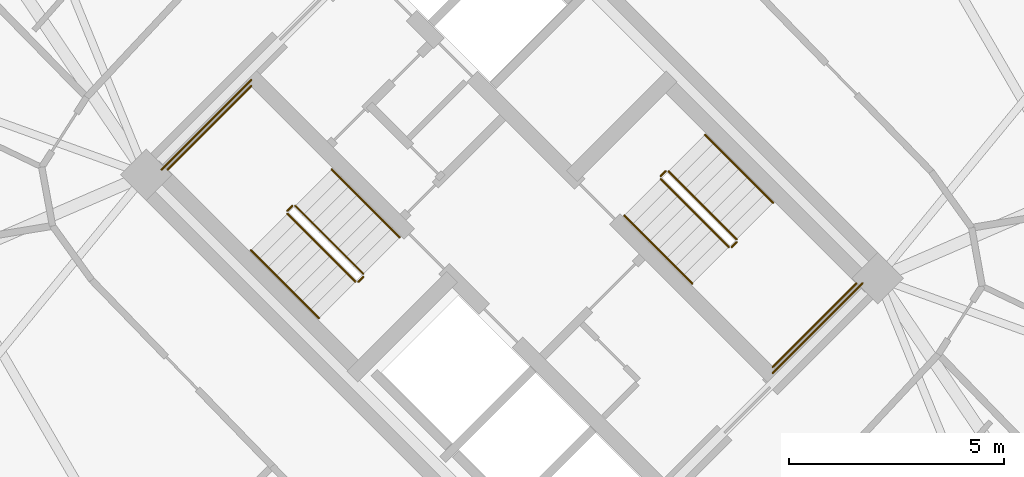
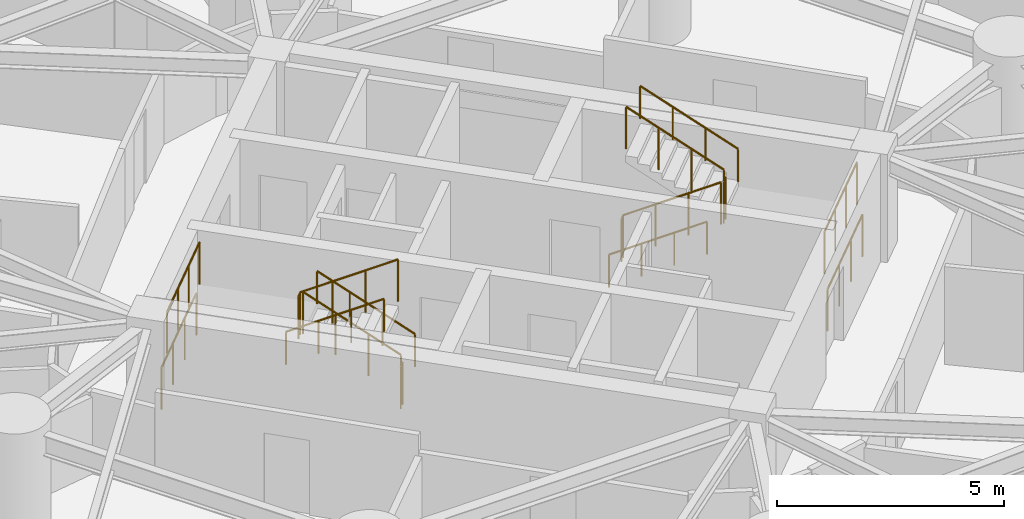
# One storey, part 18 of 19: 16 railings.
"""IFC4 building model written with IfcOpenShell, lengths in metres."""

from ifc_helpers import new_model, si_unit, direction, frame, origin, origin_2d, place, context, subcontext, project, spatial, circle, extrude, material, type_object, element, save


model = new_model("IFC4")

# Units and contexts
model_context = context("Model", 3, precision=1e-05, world=origin(), true_north=direction((0.0, 1.0)))
body_context = subcontext(model_context, "Body", "Model", "MODEL_VIEW")
ifc_project = project(units=[si_unit("LENGTHUNIT", "METRE"), si_unit("AREAUNIT", "SQUARE_METRE"), si_unit("VOLUMEUNIT", "CUBIC_METRE"), si_unit("PLANEANGLEUNIT", "RADIAN"), si_unit("MASSUNIT", "GRAM", prefix="KILO")], contexts=[model_context])

# Site, building, storey
site_placement = place(None, origin())
site = spatial("IfcSite", under=ifc_project, at=site_placement, CompositionType="ELEMENT")
building_placement = place(site_placement, origin())
building = spatial("IfcBuilding", under=site, at=building_placement, Name="Cununo Teusaquillo Station Towers", CompositionType="ELEMENT")
storey_placement = place(building_placement, frame((0.0, 0.0, 33.639892578125)))
storey = spatial("IfcBuildingStorey", under=building, at=storey_placement, Name="L09", CompositionType="ELEMENT", Elevation=33.639892578125)

# Railings
ifc_material_1 = material(Name="Steel EN 10025-2 S355J2", Category="steel")
railing_type_1 = type_object("IfcRailingType", Name="RL-INT-GUARD", PredefinedType="GUARDRAIL", material=ifc_material_1)
railing_1_placement = place(storey_placement, frame((54.03515625, 23.39697265625, 0.161865234375)))
element("IfcRailing", 1, at=railing_1_placement, inside=storey, type_object=railing_type_1, Name="L09 ST-T2-1 stair guard 1", PredefinedType="GUARDRAIL", context=body_context, shape_type="SweptSolid", body=[
    extrude(circle(Radius=0.02392578125, at=origin_2d()), frame((0.0, 0.0, 1.1259765625), z_axis=(-0.612361259024, 0.612361259024, 0.500027376144), x_axis=(-0.707106781187, -0.707106781187, 0.0)), (0.0, 0.0, 1.0), 2.586181640625),
    extrude(circle(Radius=0.02099609375, at=origin_2d()), origin(), (0.0, 0.0, 1.0), 1.101806640625),
    extrude(circle(Radius=0.02099609375, at=origin_2d()), frame((-0.52783203125, 0.52783203125, 0.43115234375)), (0.0, 0.0, 1.0), 1.101806640625),
    extrude(circle(Radius=0.02099609375, at=origin_2d()), frame((-1.055908203125, 1.055908203125, 0.862060546875)), (0.0, 0.0, 1.0), 1.101806640625),
    extrude(circle(Radius=0.02099609375, at=origin_2d()), frame((-1.583740234375, 1.583740234375, 1.293212890625)), (0.0, 0.0, 1.0), 1.101806640625),
])
railing_2_placement = place(storey_placement, frame((52.380615234375, 24.980712890625, 1.455078125)))
element("IfcRailing", 2, at=railing_2_placement, inside=storey, type_object=railing_type_1, Name="L09 ST-T2-1 stair guard 2", PredefinedType="GUARDRAIL", context=body_context, shape_type="SweptSolid", body=[
    extrude(circle(Radius=0.02392578125, at=origin_2d()), frame((0.0, 0.0, 1.1259765625), z_axis=(-0.7078691598, -0.706343579714, 0.0), x_axis=(0.706343579714, -0.7078691598, 0.0)), (0.0, 0.0, 1.0), 0.159912109375),
    extrude(circle(Radius=0.02099609375, at=origin_2d()), origin(), (0.0, 0.0, 1.0), 1.101806640625),
    extrude(circle(Radius=0.02099609375, at=origin_2d()), frame((-0.11328125, -0.113037109375, 0.0)), (0.0, 0.0, 1.0), 1.101806640625),
])
railing_3_placement = place(storey_placement, frame((51.426025390625, 27.77392578125, 1.455078125)))
element("IfcRailing", 3, at=railing_3_placement, inside=storey, type_object=railing_type_1, Name="L09 ST-T2-1 stair guard 3", PredefinedType="GUARDRAIL", context=body_context, shape_type="SweptSolid", body=[
    extrude(circle(Radius=0.02392578125, at=origin_2d()), frame((0.0, 0.0, 1.1259765625), z_axis=(-0.707106781187, -0.707106781187, 0.0), x_axis=(0.707106781187, -0.707106781187, 0.0)), (0.0, 0.0, 1.0), 2.760009765625),
    extrude(circle(Radius=0.02099609375, at=origin_2d()), origin(), (0.0, 0.0, 1.0), 1.101806640625),
    extrude(circle(Radius=0.02099609375, at=origin_2d()), frame((-0.650634765625, -0.650634765625, 0.0)), (0.0, 0.0, 1.0), 1.101806640625),
    extrude(circle(Radius=0.02099609375, at=origin_2d()), frame((-1.301025390625, -1.301025390625, 0.0)), (0.0, 0.0, 1.0), 1.101806640625),
    extrude(circle(Radius=0.02099609375, at=origin_2d()), frame((-1.95166015625, -1.95166015625, 0.0)), (0.0, 0.0, 1.0), 1.101806640625),
])
railing_4_placement = place(storey_placement, frame((52.267333984375, 24.796875, 1.61669921875)))
element("IfcRailing", 4, at=railing_4_placement, inside=storey, type_object=railing_type_1, Name="L09 ST-T2-1 stair guard 4", PredefinedType="GUARDRAIL", context=body_context, shape_type="SweptSolid", body=[
    extrude(circle(Radius=0.02392578125, at=origin_2d()), frame((0.0, 0.0, 1.1259765625), z_axis=(0.612391349474, -0.612296961165, 0.500069261639), x_axis=(0.707052281454, 0.707161276719, 0.0)), (0.0, 0.0, 1.0), 2.586669921875),
    extrude(circle(Radius=0.02099609375, at=origin_2d()), origin(), (0.0, 0.0, 1.0), 1.101806640625),
    extrude(circle(Radius=0.02099609375, at=origin_2d()), frame((0.528076171875, -0.52783203125, 0.43115234375)), (0.0, 0.0, 1.0), 1.101806640625),
    extrude(circle(Radius=0.02099609375, at=origin_2d()), frame((1.055908203125, -1.055908203125, 0.8623046875)), (0.0, 0.0, 1.0), 1.101806640625),
    extrude(circle(Radius=0.02099609375, at=origin_2d()), frame((1.583984375, -1.583740234375, 1.29345703125)), (0.0, 0.0, 1.0), 1.101806640625),
])
railing_5_placement = place(storey_placement, frame((54.03515625, 23.326171875, 0.0)))
element("IfcRailing", 5, at=railing_5_placement, inside=storey, type_object=railing_type_1, Name="L09 ST-T2-1 stair guard 5", PredefinedType="GUARDRAIL", context=body_context, shape_type="SweptSolid", body=[
    extrude(circle(Radius=0.02392578125, at=origin_2d()), frame((0.0, 0.0, 1.1259765625), z_axis=(-0.707106781187, -0.707106781187, 0.0), x_axis=(0.707106781187, -0.707106781187, 0.0)), (0.0, 0.0, 1.0), 0.159912109375),
    extrude(circle(Radius=0.02099609375, at=origin_2d()), origin(), (0.0, 0.0, 1.0), 1.101806640625),
    extrude(circle(Radius=0.02099609375, at=origin_2d()), frame((-0.113037109375, -0.113037109375, 0.0)), (0.0, 0.0, 1.0), 1.101806640625),
])
railing_6_placement = place(storey_placement, frame((51.426025390625, 27.915283203125, 0.0)))
element("IfcRailing", 6, at=railing_6_placement, inside=storey, type_object=railing_type_1, Name="L09 ST-T2-1 stair guard 6", PredefinedType="GUARDRAIL", context=body_context, shape_type="SweptSolid", body=[
    extrude(circle(Radius=0.02392578125, at=origin_2d()), frame((0.0, 0.0, 1.1259765625), z_axis=(-0.707106781187, -0.707106781187, 0.0), x_axis=(0.707106781187, -0.707106781187, 0.0)), (0.0, 0.0, 1.0), 2.9599609375),
    extrude(circle(Radius=0.02099609375, at=origin_2d()), origin(), (0.0, 0.0, 1.0), 1.101806640625),
    extrude(circle(Radius=0.02099609375, at=origin_2d()), frame((-0.69775390625, -0.69775390625, 0.0)), (0.0, 0.0, 1.0), 1.101806640625),
    extrude(circle(Radius=0.02099609375, at=origin_2d()), frame((-1.395263671875, -1.395263671875, 0.0)), (0.0, 0.0, 1.0), 1.101806640625),
    extrude(circle(Radius=0.02099609375, at=origin_2d()), frame((-2.093017578125, -2.093017578125, 0.0)), (0.0, 0.0, 1.0), 1.101806640625),
])
railing_7_placement = place(storey_placement, frame((60.96484375, 25.60302734375, 0.161865234375)))
element("IfcRailing", 7, at=railing_7_placement, inside=storey, type_object=railing_type_1, Name="L09 ST-T2-2 stair guard 1", PredefinedType="GUARDRAIL", context=body_context, shape_type="SweptSolid", body=[
    extrude(circle(Radius=0.02392578125, at=origin_2d()), frame((0.0, 0.0, 1.1259765625), z_axis=(0.612361259024, -0.612361259024, 0.500027376144), x_axis=(0.707106781187, 0.707106781187, 0.0)), (0.0, 0.0, 1.0), 2.586181640625),
    extrude(circle(Radius=0.02099609375, at=origin_2d()), origin(), (0.0, 0.0, 1.0), 1.101806640625),
    extrude(circle(Radius=0.02099609375, at=origin_2d()), frame((0.52783203125, -0.52783203125, 0.43115234375)), (0.0, 0.0, 1.0), 1.101806640625),
    extrude(circle(Radius=0.02099609375, at=origin_2d()), frame((1.055908203125, -1.055908203125, 0.862060546875)), (0.0, 0.0, 1.0), 1.101806640625),
    extrude(circle(Radius=0.02099609375, at=origin_2d()), frame((1.583740234375, -1.583740234375, 1.293212890625)), (0.0, 0.0, 1.0), 1.101806640625),
])
railing_8_placement = place(storey_placement, frame((62.619384765625, 24.019287109375, 1.455078125)))
element("IfcRailing", 8, at=railing_8_placement, inside=storey, type_object=railing_type_1, Name="L09 ST-T2-2 stair guard 2", PredefinedType="GUARDRAIL", context=body_context, shape_type="SweptSolid", body=[
    extrude(circle(Radius=0.02392578125, at=origin_2d()), frame((0.0, 0.0, 1.1259765625), z_axis=(0.7078691598, 0.706343579714, 0.0), x_axis=(-0.706343579714, 0.7078691598, 0.0)), (0.0, 0.0, 1.0), 0.159912109375),
    extrude(circle(Radius=0.02099609375, at=origin_2d()), origin(), (0.0, 0.0, 1.0), 1.101806640625),
    extrude(circle(Radius=0.02099609375, at=origin_2d()), frame((0.11328125, 0.113037109375, 0.0)), (0.0, 0.0, 1.0), 1.101806640625),
])
railing_9_placement = place(storey_placement, frame((63.573974609375, 21.22607421875, 1.455078125)))
element("IfcRailing", 9, at=railing_9_placement, inside=storey, type_object=railing_type_1, Name="L09 ST-T2-2 stair guard 3", PredefinedType="GUARDRAIL", context=body_context, shape_type="SweptSolid", body=[
    extrude(circle(Radius=0.02392578125, at=origin_2d()), frame((0.0, 0.0, 1.1259765625), z_axis=(0.707106781187, 0.707106781187, 0.0), x_axis=(-0.707106781187, 0.707106781187, 0.0)), (0.0, 0.0, 1.0), 2.760009765625),
    extrude(circle(Radius=0.02099609375, at=origin_2d()), origin(), (0.0, 0.0, 1.0), 1.101806640625),
    extrude(circle(Radius=0.02099609375, at=origin_2d()), frame((0.650634765625, 0.650634765625, 0.0)), (0.0, 0.0, 1.0), 1.101806640625),
    extrude(circle(Radius=0.02099609375, at=origin_2d()), frame((1.301025390625, 1.301025390625, 0.0)), (0.0, 0.0, 1.0), 1.101806640625),
    extrude(circle(Radius=0.02099609375, at=origin_2d()), frame((1.95166015625, 1.95166015625, 0.0)), (0.0, 0.0, 1.0), 1.101806640625),
])
railing_10_placement = place(storey_placement, frame((62.732666015625, 24.203125, 1.61669921875)))
element("IfcRailing", 10, at=railing_10_placement, inside=storey, type_object=railing_type_1, Name="L09 ST-T2-2 stair guard 4", PredefinedType="GUARDRAIL", context=body_context, shape_type="SweptSolid", body=[
    extrude(circle(Radius=0.02392578125, at=origin_2d()), frame((0.0, 0.0, 1.1259765625), z_axis=(-0.612391349474, 0.612296961165, 0.500069261639), x_axis=(-0.707052281454, -0.707161276719, 0.0)), (0.0, 0.0, 1.0), 2.586669921875),
    extrude(circle(Radius=0.02099609375, at=origin_2d()), origin(), (0.0, 0.0, 1.0), 1.101806640625),
    extrude(circle(Radius=0.02099609375, at=origin_2d()), frame((-0.528076171875, 0.52783203125, 0.43115234375)), (0.0, 0.0, 1.0), 1.101806640625),
    extrude(circle(Radius=0.02099609375, at=origin_2d()), frame((-1.055908203125, 1.055908203125, 0.8623046875)), (0.0, 0.0, 1.0), 1.101806640625),
    extrude(circle(Radius=0.02099609375, at=origin_2d()), frame((-1.583984375, 1.583740234375, 1.29345703125)), (0.0, 0.0, 1.0), 1.101806640625),
])
railing_11_placement = place(storey_placement, frame((60.96484375, 25.673828125, 0.0)))
element("IfcRailing", 11, at=railing_11_placement, inside=storey, type_object=railing_type_1, Name="L09 ST-T2-2 stair guard 5", PredefinedType="GUARDRAIL", context=body_context, shape_type="SweptSolid", body=[
    extrude(circle(Radius=0.02392578125, at=origin_2d()), frame((0.0, 0.0, 1.1259765625), z_axis=(0.707106781187, 0.707106781187, 0.0), x_axis=(-0.707106781187, 0.707106781187, 0.0)), (0.0, 0.0, 1.0), 0.159912109375),
    extrude(circle(Radius=0.02099609375, at=origin_2d()), origin(), (0.0, 0.0, 1.0), 1.101806640625),
    extrude(circle(Radius=0.02099609375, at=origin_2d()), frame((0.113037109375, 0.113037109375, 0.0)), (0.0, 0.0, 1.0), 1.101806640625),
])
railing_12_placement = place(storey_placement, frame((63.573974609375, 21.084716796875, 0.0)))
element("IfcRailing", 12, at=railing_12_placement, inside=storey, type_object=railing_type_1, Name="L09 ST-T2-2 stair guard 6", PredefinedType="GUARDRAIL", context=body_context, shape_type="SweptSolid", body=[
    extrude(circle(Radius=0.02392578125, at=origin_2d()), frame((0.0, 0.0, 1.1259765625), z_axis=(0.707106781187, 0.707106781187, 0.0), x_axis=(-0.707106781187, 0.707106781187, 0.0)), (0.0, 0.0, 1.0), 2.9599609375),
    extrude(circle(Radius=0.02099609375, at=origin_2d()), origin(), (0.0, 0.0, 1.0), 1.101806640625),
    extrude(circle(Radius=0.02099609375, at=origin_2d()), frame((0.69775390625, 0.69775390625, 0.0)), (0.0, 0.0, 1.0), 1.101806640625),
    extrude(circle(Radius=0.02099609375, at=origin_2d()), frame((1.395263671875, 1.395263671875, 0.0)), (0.0, 0.0, 1.0), 1.101806640625),
    extrude(circle(Radius=0.02099609375, at=origin_2d()), frame((2.093017578125, 2.093017578125, 0.0)), (0.0, 0.0, 1.0), 1.101806640625),
])
ifc_material_2 = material(Name="Steel EN 10025-2 S355J2", Category="steel")
railing_type_2 = type_object("IfcRailingType", Name="RL-INT-HRAIL", PredefinedType="HANDRAIL", material=ifc_material_2)
railing_13_placement = place(storey_placement, frame((54.8837890625, 24.245361328125, 0.161865234375)))
element("IfcRailing", 13, at=railing_13_placement, inside=storey, type_object=railing_type_2, Name="L09 ST-T2-1 stair handrail 1", PredefinedType="HANDRAIL", context=body_context, shape_type="SweptSolid", body=[
    extrude(circle(Radius=0.02392578125, at=origin_2d()), frame((0.0, 0.0, 0.8759765625), z_axis=(-0.612384857071, 0.612384857071, 0.499969572735), x_axis=(-0.707106781187, -0.707106781187, 0.0)), (0.0, 0.0, 1.0), 2.586669921875),
    extrude(circle(Radius=0.02099609375, at=origin_2d()), origin(), (0.0, 0.0, 1.0), 0.851806640625),
    extrude(circle(Radius=0.02099609375, at=origin_2d()), frame((-0.528076171875, 0.528076171875, 0.43115234375)), (0.0, 0.0, 1.0), 0.851806640625),
    extrude(circle(Radius=0.02099609375, at=origin_2d()), frame((-1.055908203125, 1.055908203125, 0.862060546875)), (0.0, 0.0, 1.0), 0.851806640625),
    extrude(circle(Radius=0.02099609375, at=origin_2d()), frame((-1.583984375, 1.583984375, 1.293212890625)), (0.0, 0.0, 1.0), 0.851806640625),
])
railing_14_placement = place(storey_placement, frame((51.4189453125, 23.948486328125, 1.61669921875)))
element("IfcRailing", 14, at=railing_14_placement, inside=storey, type_object=railing_type_2, Name="L09 ST-T2-1 stair handrail 2", PredefinedType="HANDRAIL", context=body_context, shape_type="SweptSolid", body=[
    extrude(circle(Radius=0.02392578125, at=origin_2d()), frame((0.0, 0.0, 0.8759765625), z_axis=(0.612355957468, -0.612355957468, 0.500040361077), x_axis=(0.707106781187, 0.707106781187, 0.0)), (0.0, 0.0, 1.0), 2.586669921875),
    extrude(circle(Radius=0.02099609375, at=origin_2d()), origin(), (0.0, 0.0, 1.0), 0.851806640625),
    extrude(circle(Radius=0.02099609375, at=origin_2d()), frame((0.528076171875, -0.528076171875, 0.43115234375)), (0.0, 0.0, 1.0), 0.851806640625),
    extrude(circle(Radius=0.02099609375, at=origin_2d()), frame((1.055908203125, -1.055908203125, 0.8623046875)), (0.0, 0.0, 1.0), 0.851806640625),
    extrude(circle(Radius=0.02099609375, at=origin_2d()), frame((1.583984375, -1.583984375, 1.29345703125)), (0.0, 0.0, 1.0), 0.851806640625),
])
railing_15_placement = place(storey_placement, frame((60.1162109375, 24.754638671875, 0.161865234375)))
element("IfcRailing", 15, at=railing_15_placement, inside=storey, type_object=railing_type_2, Name="L09 ST-T2-2 stair handrail 1", PredefinedType="HANDRAIL", context=body_context, shape_type="SweptSolid", body=[
    extrude(circle(Radius=0.02392578125, at=origin_2d()), frame((0.0, 0.0, 0.8759765625), z_axis=(0.612384857071, -0.612384857071, 0.499969572735), x_axis=(0.707106781187, 0.707106781187, 0.0)), (0.0, 0.0, 1.0), 2.586669921875),
    extrude(circle(Radius=0.02099609375, at=origin_2d()), origin(), (0.0, 0.0, 1.0), 0.851806640625),
    extrude(circle(Radius=0.02099609375, at=origin_2d()), frame((0.528076171875, -0.528076171875, 0.43115234375)), (0.0, 0.0, 1.0), 0.851806640625),
    extrude(circle(Radius=0.02099609375, at=origin_2d()), frame((1.055908203125, -1.055908203125, 0.862060546875)), (0.0, 0.0, 1.0), 0.851806640625),
    extrude(circle(Radius=0.02099609375, at=origin_2d()), frame((1.583984375, -1.583984375, 1.293212890625)), (0.0, 0.0, 1.0), 0.851806640625),
])
railing_16_placement = place(storey_placement, frame((63.5810546875, 25.051513671875, 1.61669921875)))
element("IfcRailing", 16, at=railing_16_placement, inside=storey, type_object=railing_type_2, Name="L09 ST-T2-2 stair handrail 2", PredefinedType="HANDRAIL", context=body_context, shape_type="SweptSolid", body=[
    extrude(circle(Radius=0.02392578125, at=origin_2d()), frame((0.0, 0.0, 0.8759765625), z_axis=(-0.612355957468, 0.612355957468, 0.500040361077), x_axis=(-0.707106781187, -0.707106781187, 0.0)), (0.0, 0.0, 1.0), 2.586669921875),
    extrude(circle(Radius=0.02099609375, at=origin_2d()), origin(), (0.0, 0.0, 1.0), 0.851806640625),
    extrude(circle(Radius=0.02099609375, at=origin_2d()), frame((-0.528076171875, 0.528076171875, 0.43115234375)), (0.0, 0.0, 1.0), 0.851806640625),
    extrude(circle(Radius=0.02099609375, at=origin_2d()), frame((-1.055908203125, 1.055908203125, 0.8623046875)), (0.0, 0.0, 1.0), 0.851806640625),
    extrude(circle(Radius=0.02099609375, at=origin_2d()), frame((-1.583984375, 1.583984375, 1.29345703125)), (0.0, 0.0, 1.0), 0.851806640625),
])

save(model, "model.ifc")
